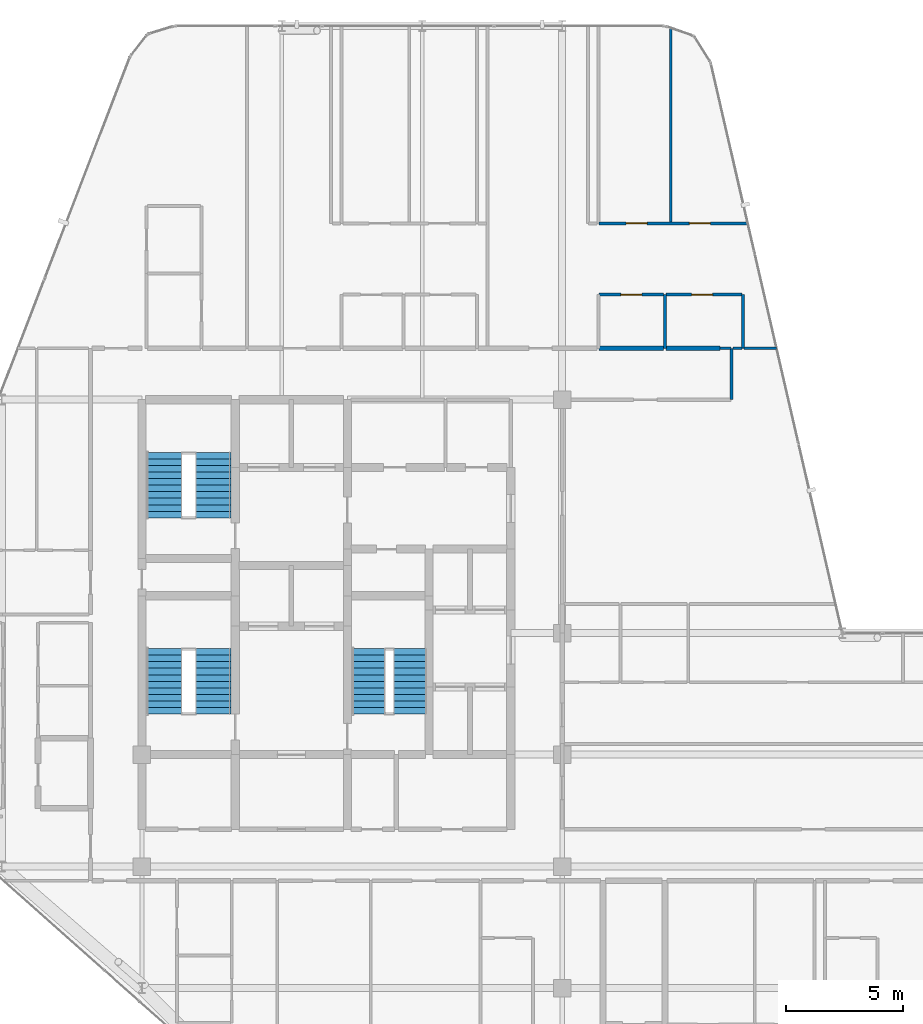
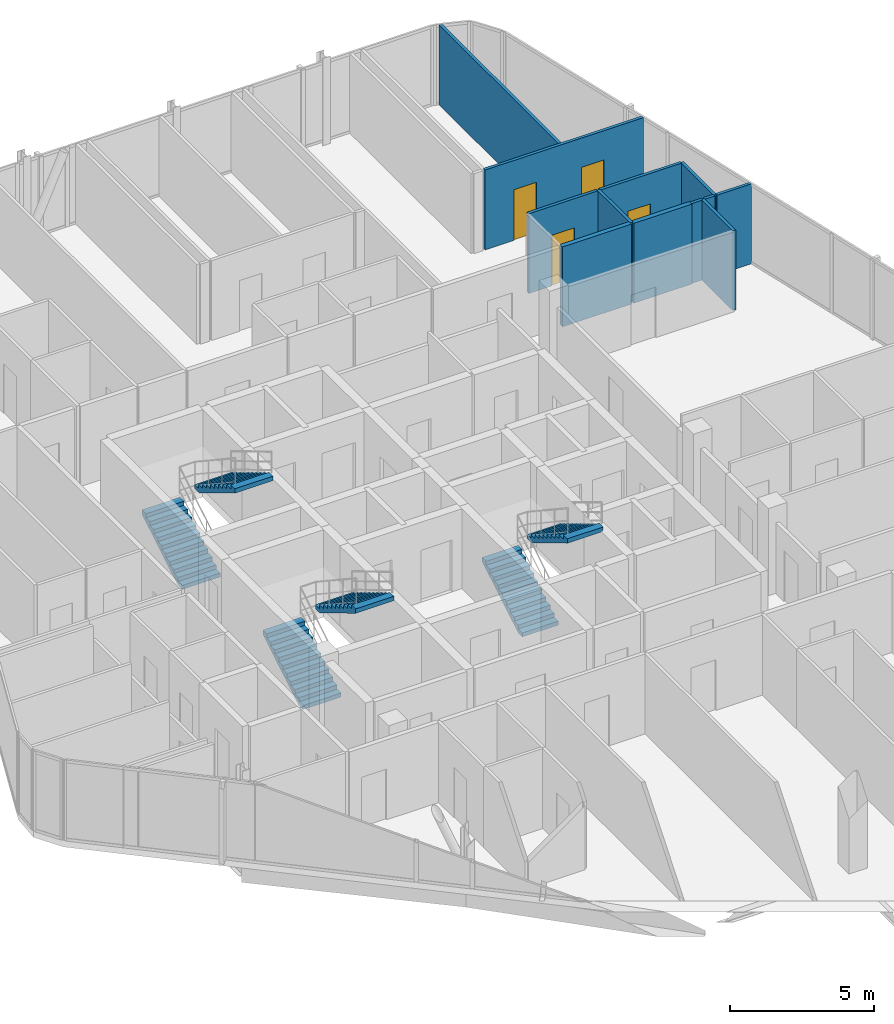
# One storey, part 28 of 29: 12 walls, 6 stair flights, 4 doors, 4 openings, 3 elements without a shape of their own.
"""IFC4 building model written with IfcOpenShell, lengths in metres."""

import ifcopenshell
import ifcopenshell.guid

model = None  # the IFC model being written
_history = None  # IfcOwnerHistory: only IFC2X3 demands one
_inside = {}  # id of a spatial element -> (the spatial element, [elements in it])
_under = {}  # id of a project, library or spatial element -> (it, [spatial elements below it])
_declared = {}  # id of a project -> (the project, [libraries it declares])
_typed = {}  # id of a type object -> (the type object, [elements of that type])
_made_of = {}  # id of a material, layer set ... -> (it, [elements and type objects made of it])


def new_model(schema):
    """Start an empty IFC model of exactly this schema.

    Asked for "IFC4X3", IfcOpenShell would pick the latest addendum, in which some entities
    have other attributes; the version numbers below select the first issue.
    IFC2X3 requires an IfcOwnerHistory on every rooted entity: one is made here for all.
    """
    global model, _history
    if schema == "IFC4X3":
        model = ifcopenshell.file(schema_version=(4, 3, 0, 0))
    else:
        model = ifcopenshell.file(schema=schema)
    _inside.clear()
    _under.clear()
    _declared.clear()
    _typed.clear()
    _made_of.clear()
    _history = None
    if model.schema == "IFC2X3":
        org = make("IfcOrganization", Name="unknown")
        user = make(
            "IfcPersonAndOrganization",
            ThePerson=make("IfcPerson", FamilyName="unknown"),
            TheOrganization=org,
        )
        app = make(
            "IfcApplication",
            ApplicationDeveloper=org,
            Version="unknown",
            ApplicationFullName="unknown",
            ApplicationIdentifier="unknown",
        )
        _history = make(
            "IfcOwnerHistory",
            OwningUser=user,
            OwningApplication=app,
            ChangeAction="ADDED",
            CreationDate=0,
        )
    return model


def make(cls, **values):
    """One entity of the class cls with the attributes given. An attribute that is None is left unset."""
    return model.create_entity(
        cls, **{name: value for name, value in values.items() if value is not None}
    )


def rooted(cls, **values):
    """An entity with a GlobalId (a new one), such as an element, a storey or a relation."""
    return make(cls, GlobalId=ifcopenshell.guid.new(), OwnerHistory=_history, **values)


def si_unit(unit_type, name, prefix=None):
    """IfcSIUnit, for example si_unit("LENGTHUNIT", "METRE", prefix="MILLI")."""
    return make("IfcSIUnit", UnitType=unit_type, Prefix=prefix, Name=name)


def assignment(units):
    """IfcUnitAssignment: the units of a project."""
    return None if units is None else make("IfcUnitAssignment", Units=units)


def point(xyz):
    """IfcCartesianPoint."""
    return None if xyz is None else make("IfcCartesianPoint", Coordinates=xyz)


def direction(xyz):
    """IfcDirection."""
    return None if xyz is None else make("IfcDirection", DirectionRatios=xyz)


def frame(location, z_axis=None, x_axis=None):
    """IfcAxis2Placement3D, a coordinate frame: its origin and axes. An axis left out is left unset."""
    return make(
        "IfcAxis2Placement3D",
        Location=point(location),
        Axis=direction(z_axis),
        RefDirection=direction(x_axis),
    )


def frame_2d(location, x_axis=None):
    """IfcAxis2Placement2D, a coordinate frame in the plane: its origin and x axis."""
    return make(
        "IfcAxis2Placement2D", Location=point(location), RefDirection=direction(x_axis)
    )


def origin():
    """The frame at (0, 0, 0) with its axes left unset."""
    return frame((0.0, 0.0, 0.0))


def place(relative_to, where):
    """IfcLocalPlacement: puts the frame where relative to a parent placement (None: the world)."""
    return make(
        "IfcLocalPlacement", PlacementRelTo=relative_to, RelativePlacement=where
    )


def context(
    kind, dimensions, precision=None, world=None, true_north=None, identifier=None
):
    """IfcGeometricRepresentationContext, for example the 3D "Model" context."""
    return make(
        "IfcGeometricRepresentationContext",
        ContextIdentifier=identifier,
        ContextType=kind,
        CoordinateSpaceDimension=dimensions,
        Precision=precision,
        WorldCoordinateSystem=world,
        TrueNorth=true_north,
    )


def subcontext(parent, identifier, kind, view, scale=None):
    """IfcGeometricRepresentationSubContext, for example "Body" below "Model"."""
    return make(
        "IfcGeometricRepresentationSubContext",
        ContextIdentifier=identifier,
        ContextType=kind,
        ParentContext=parent,
        TargetScale=scale,
        TargetView=view,
    )


def project(units=None, contexts=None):
    """IfcProject with its units and contexts."""
    return rooted(
        "IfcProject",
        Name="project",
        RepresentationContexts=contexts,
        UnitsInContext=assignment(units),
    )


def spatial(cls, under=None, at=None, **own):
    """A site, building, storey or space (cls), placed at a placement, below another one or the project."""
    s = rooted(cls, ObjectPlacement=at, **own)
    if under is not None:
        _under.setdefault(under.id(), (under, []))[1].append(s)
    return s


def polyline(points):
    """IfcPolyline through the points."""
    return make("IfcPolyline", Points=[point(p) for p in points])


def profile(cls, at=None, kind="AREA", **sizes):
    """A parametric profile (cls). Its sizes go by their IFC names, for example OverallWidth=200.0."""
    return make(cls, ProfileType=kind, Position=at, **sizes)


def rectangle(**sizes):
    """IfcRectangleProfileDef."""
    return profile("IfcRectangleProfileDef", **sizes)


def outline(outer, holes=None, kind="AREA"):
    """IfcArbitraryClosedProfileDef: a profile drawn as a closed curve; with holes, ...WithVoids."""
    if holes is None:
        return make("IfcArbitraryClosedProfileDef", ProfileType=kind, OuterCurve=outer)
    return make(
        "IfcArbitraryProfileDefWithVoids",
        ProfileType=kind,
        OuterCurve=outer,
        InnerCurves=holes,
    )


def extrude(swept, where, along, depth):
    """IfcExtrudedAreaSolid: the profile swept, set in the frame where, extruded along a direction by depth."""
    return make(
        "IfcExtrudedAreaSolid",
        SweptArea=swept,
        Position=where,
        ExtrudedDirection=direction(along),
        Depth=depth,
    )


def shape(context_of_items, identifier, shape_type, items):
    """IfcShapeRepresentation: the items that make up one representation, for example the "Body"."""
    return make(
        "IfcShapeRepresentation",
        ContextOfItems=context_of_items,
        RepresentationIdentifier=identifier,
        RepresentationType=shape_type,
        Items=items,
    )


def material(Name=None, Category=None):
    """IfcMaterial."""
    return make("IfcMaterial", Name=Name, Category=Category)


def layer(
    of_material, thickness, ventilated=None, Name=None, Category=None, Priority=None
):
    """IfcMaterialLayer: one layer of a wall or slab, of a material (None: an air gap)."""
    return make(
        "IfcMaterialLayer",
        Material=of_material,
        LayerThickness=thickness,
        IsVentilated=ventilated,
        Name=Name,
        Category=Category,
        Priority=Priority,
    )


def layer_set(layers, Name=None):
    """IfcMaterialLayerSet."""
    return make("IfcMaterialLayerSet", MaterialLayers=layers, LayerSetName=Name)


def made_of(thing, what):
    """Note that an element or type object is made of a material, layer set ...; save() writes the relation."""
    if what is not None:
        _made_of.setdefault(what.id(), (what, []))[1].append(thing)
    return thing


def type_object(cls, material=None, **own):
    """A type object (cls), such as IfcWallType, which elements share."""
    return made_of(rooted(cls, **own), material)


def element(
    cls,
    number,
    at=None,
    inside=None,
    cuts=None,
    type_object=None,
    material=None,
    context=None,
    identifier="Body",
    shape_type=None,
    held_by="IfcProductDefinitionShape",
    body=None,
    shapes=None,
    **own,
):
    """One element of the class cls, such as IfcWall. Its Tag is "e" and its number.

    at: its placement. inside: the storey or other place that contains it. cuts: it is an
    opening in that element (IfcRelVoidsElement). A single representation is given by context,
    identifier, shape_type and body (its items); several are given by shapes. held_by: the class
    of the entity that holds the representations. save() writes the other relations.
    """
    e = rooted(cls, Tag="e%d" % number, ObjectPlacement=at, **own)
    if body is not None:
        shapes = [shape(context, identifier, shape_type, body)]
    if shapes is not None:
        e.Representation = make(held_by, Representations=shapes)
    if inside is not None:
        _inside.setdefault(inside.id(), (inside, []))[1].append(e)
    if cuts is not None:
        rooted(
            "IfcRelVoidsElement", RelatingBuildingElement=cuts, RelatedOpeningElement=e
        )
    if type_object is not None:
        _typed.setdefault(type_object.id(), (type_object, []))[1].append(e)
    return made_of(e, material)


def fill(opening, filler):
    """IfcRelFillsElement: the door or window that sits in an opening."""
    return rooted(
        "IfcRelFillsElement",
        RelatingOpeningElement=opening,
        RelatedBuildingElement=filler,
    )


def aggregate(whole, parts):
    """IfcRelAggregates: a whole, such as a stair, and the parts it consists of."""
    return rooted("IfcRelAggregates", RelatingObject=whole, RelatedObjects=parts)


def save(model, path):
    """Write the relations noted so far, then the file.

    IfcRelAggregates (storeys below a building ...), IfcRelContainedInSpatialStructure (elements
    in a storey), IfcRelDefinesByType, IfcRelAssociatesMaterial and IfcRelDeclares: one each for
    every whole, place, type object, material and project.
    """
    for whole, parts in _under.values():
        aggregate(whole, parts)
    for where, things in _inside.values():
        rooted(
            "IfcRelContainedInSpatialStructure",
            RelatedElements=things,
            RelatingStructure=where,
        )
    for kind, things in _typed.values():
        rooted("IfcRelDefinesByType", RelatedObjects=things, RelatingType=kind)
    for what, things in _made_of.values():
        rooted("IfcRelAssociatesMaterial", RelatedObjects=things, RelatingMaterial=what)
    for by, libraries in _declared.values():
        rooted("IfcRelDeclares", RelatingContext=by, RelatedDefinitions=libraries)
    model.write(path)


model = new_model("IFC4")

# Units and contexts
model_context = context("Model", 3, precision=1e-05, world=origin(), true_north=direction((0.0, 1.0)))
body_context = subcontext(model_context, "Body", "Model", "MODEL_VIEW")
ifc_project = project(units=[si_unit("LENGTHUNIT", "METRE"), si_unit("AREAUNIT", "SQUARE_METRE"), si_unit("VOLUMEUNIT", "CUBIC_METRE"), si_unit("PLANEANGLEUNIT", "RADIAN"), si_unit("MASSUNIT", "GRAM", prefix="KILO")], contexts=[model_context])

# Site, building, storey
site_placement = place(None, origin())
site = spatial("IfcSite", under=ifc_project, at=site_placement, CompositionType="ELEMENT")
building_placement = place(site_placement, origin())
building = spatial("IfcBuilding", under=site, at=building_placement, Name="Keshet Zoharim Tower", CompositionType="ELEMENT")
storey_placement = place(building_placement, frame((0.0, 0.0, 210.60009765625)))
storey = spatial("IfcBuildingStorey", under=building, at=storey_placement, Name="L52", CompositionType="ELEMENT", Elevation=210.60009765625)

# Walls
ifc_material_1 = material(Name="Gypsum Plasterboard", Category="gypsum")
ifc_layer_1 = layer(ifc_material_1, 0.179931640625)
ifc_layer_set_1 = layer_set([ifc_layer_1], Name="Gypsum Plasterboard")
wall_type_1 = type_object("IfcWallType", Name="WL-CORR-180", PredefinedType="STANDARD", material=ifc_layer_set_1)
wall_1_placement = place(storey_placement, frame((34.574951171875, 40.10009765625, 0.0), z_axis=(0.0, 0.0, 1.0), x_axis=(1.0, 0.0, 0.0)))
element("IfcWall", 1, at=wall_1_placement, inside=storey, type_object=wall_type_1, Name="L52 Interior Wall 187", PredefinedType="STANDARD", context=body_context, shape_type="SweptSolid", body=[
    extrude(rectangle(XDim=2.77197265625, YDim=0.179931640625, at=frame_2d((1.385986328125, 0.0))), origin(), (0.0, 0.0, 1.0), 3.389892578125),
])
wall_2_placement = place(storey_placement, frame((37.43701171875, 40.10009765625, 0.0), z_axis=(0.0, 0.0, 1.0), x_axis=(1.0, 0.0, 0.0)))
element("IfcWall", 2, at=wall_2_placement, inside=storey, type_object=wall_type_1, Name="L52 Interior Wall 188", PredefinedType="STANDARD", context=body_context, shape_type="SweptSolid", body=[
    extrude(rectangle(XDim=2.325927734375, YDim=0.179931640625, at=frame_2d((1.1630859375, 0.0))), origin(), (0.0, 0.0, 1.0), 3.389892578125),
])
ifc_layer_2 = layer(ifc_material_1, 0.1201171875)
ifc_layer_set_2 = layer_set([ifc_layer_2], Name="Gypsum Plasterboard")
wall_type_2 = type_object("IfcWallType", Name="WL-PART-120", PredefinedType="PARTITIONING", material=ifc_layer_set_2)
wall_3_placement = place(storey_placement, frame((37.64990234375, 45.449951171875, 0.0), z_axis=(0.0, 0.0, 1.0), x_axis=(0.0, 1.0, 0.0)))
element("IfcWall", 3, at=wall_3_placement, inside=storey, type_object=wall_type_2, Name="L52 Interior Wall 080", PredefinedType="PARTITIONING", context=body_context, shape_type="SweptSolid", body=[
    extrude(rectangle(XDim=8.35595703125, YDim=0.1201171875, at=frame_2d((4.177978515625, 0.0))), origin(), (0.0, 0.0, 1.0), 3.389892578125),
])
wall_4_placement = place(storey_placement, frame((40.25, 37.89990234375, 0.0), z_axis=(0.0, 0.0, 1.0), x_axis=(0.0, 1.0, 0.0)))
element("IfcWall", 4, at=wall_4_placement, inside=storey, type_object=wall_type_2, Name="L52 Interior Wall 083", PredefinedType="PARTITIONING", context=body_context, shape_type="SweptSolid", body=[
    extrude(rectangle(XDim=2.2001953125, YDim=0.1201171875, at=frame_2d((1.10009765625, 0.0))), origin(), (0.0, 0.0, 1.0), 3.389892578125),
])
wall_5_placement = place(storey_placement, frame((40.797119140625, 40.10009765625, 0.0), z_axis=(0.0, 0.0, 1.0), x_axis=(1.0, 0.0, 0.0)))
element("IfcWall", 5, at=wall_5_placement, inside=storey, type_object=wall_type_2, Name="L52 Interior Wall 191", PredefinedType="PARTITIONING", context=body_context, shape_type="SweptSolid", body=[
    extrude(rectangle(XDim=1.3779296875, YDim=0.1201171875, at=frame_2d((0.68896484375, 0.0))), origin(), (0.0, 0.0, 1.0), 3.389892578125),
])

# Wall, opening, door
wall_6_placement = place(storey_placement, frame((34.574951171875, 42.39990234375, 0.0), z_axis=(0.0, 0.0, 1.0), x_axis=(1.0, 0.0, 0.0)))
wall_6 = element("IfcWall", 6, at=wall_6_placement, inside=storey, type_object=wall_type_2, Name="L52 Interior Wall 194", PredefinedType="PARTITIONING", context=body_context, shape_type="SweptSolid", body=[
    extrude(rectangle(XDim=2.77197265625, YDim=0.1201171875, at=frame_2d((1.385986328125, 0.0))), origin(), (0.0, 0.0, 1.0), 3.389892578125),
])
opening_1_placement = place(wall_6_placement, frame((0.93603515625, 0.0, 0.0)))
opening_1 = element("IfcOpeningElement", 7, at=opening_1_placement, cuts=wall_6, Name="Opening D-IN90", PredefinedType="OPENING", context=body_context, shape_type="SweptSolid", body=[
    extrude(rectangle(XDim=0.89990234375, YDim=2.14990234375, at=frame_2d((0.449951171875, 1.074951171875))), frame((0.0, 0.070068359375, 0.0), z_axis=(0.0, -1.0, 0.0), x_axis=(1.0, 0.0, 0.0)), (0.0, 0.0, 1.0), 0.14013671875),
])
ifc_material_2 = material(Name="Hardwood Timber", Category="wood")
door_type_1 = type_object("IfcDoorType", Name="DR-INT-090", OperationType="NOTDEFINED", PredefinedType="DOOR", material=ifc_material_2)
door_1_placement = place(opening_1_placement, origin())
door_1 = element("IfcDoor", 8, at=door_1_placement, inside=storey, type_object=door_type_1, Name="Apartment 5206 Kitchen Door", OperationType="SINGLE_SWING_RIGHT", OverallHeight=2.14990234375, OverallWidth=0.89990234375, PredefinedType="DOOR", context=body_context, shape_type="SweptSolid", body=[
    extrude(rectangle(XDim=0.89990234375, YDim=2.14990234375, at=frame_2d((0.449951171875, 1.074951171875))), frame((0.0, 0.02490234375, 0.0), z_axis=(0.0, -1.0, 0.0), x_axis=(1.0, 0.0, 0.0)), (0.0, 0.0, 1.0), 0.050048828125),
])
fill(opening_1, door_1)

# Wall, openings, doors
wall_7_placement = place(storey_placement, frame((34.574951171875, 45.449951171875, 0.0), z_axis=(0.0, 0.0, 1.0), x_axis=(1.0, 0.0, 0.0)))
wall_7 = element("IfcWall", 9, at=wall_7_placement, inside=storey, type_object=wall_type_2, Name="L52 Interior Wall 201", PredefinedType="PARTITIONING", context=body_context, shape_type="SweptSolid", body=[
    extrude(rectangle(XDim=6.364990234375, YDim=0.1201171875, at=frame_2d((3.1826171875, 0.0))), origin(), (0.0, 0.0, 1.0), 3.389892578125),
])
opening_2_placement = place(wall_7_placement, frame((1.160888671875, 0.0, 0.0)))
opening_2 = element("IfcOpeningElement", 10, at=opening_2_placement, cuts=wall_7, Name="Opening D-IN90", PredefinedType="OPENING", context=body_context, shape_type="SweptSolid", body=[
    extrude(rectangle(XDim=0.89990234375, YDim=2.14990234375, at=frame_2d((0.449951171875, 1.074951171875))), frame((0.0, 0.070068359375, 0.0), z_axis=(0.0, -1.0, 0.0), x_axis=(1.0, 0.0, 0.0)), (0.0, 0.0, 1.0), 0.14013671875),
])
opening_3_placement = place(wall_7_placement, frame((3.8701171875, 0.0, 0.0)))
opening_3 = element("IfcOpeningElement", 11, at=opening_3_placement, cuts=wall_7, Name="Opening D-IN90", PredefinedType="OPENING", context=body_context, shape_type="SweptSolid", body=[
    extrude(rectangle(XDim=0.89990234375, YDim=2.14990234375, at=frame_2d((0.449951171875, 1.074951171875))), frame((0.0, 0.070068359375, 0.0), z_axis=(0.0, -1.0, 0.0), x_axis=(1.0, 0.0, 0.0)), (0.0, 0.0, 1.0), 0.14013671875),
])
door_2_placement = place(opening_2_placement, origin())
door_2 = element("IfcDoor", 12, at=door_2_placement, inside=storey, type_object=door_type_1, Name="Apartment 5206 Bedroom 1 Door", OperationType="SINGLE_SWING_RIGHT", OverallHeight=2.14990234375, OverallWidth=0.89990234375, PredefinedType="DOOR", context=body_context, shape_type="SweptSolid", body=[
    extrude(rectangle(XDim=0.89990234375, YDim=2.14990234375, at=frame_2d((0.449951171875, 1.074951171875))), frame((0.0, 0.02490234375, 0.0), z_axis=(0.0, -1.0, 0.0), x_axis=(1.0, 0.0, 0.0)), (0.0, 0.0, 1.0), 0.050048828125),
])
fill(opening_2, door_2)
door_3_placement = place(opening_3_placement, origin())
door_3 = element("IfcDoor", 13, at=door_3_placement, inside=storey, type_object=door_type_1, Name="Apartment 5206 Bedroom 2 Door", OperationType="SINGLE_SWING_LEFT", OverallHeight=2.14990234375, OverallWidth=0.89990234375, PredefinedType="DOOR", context=body_context, shape_type="SweptSolid", body=[
    extrude(rectangle(XDim=0.89990234375, YDim=2.14990234375, at=frame_2d((0.449951171875, 1.074951171875))), frame((0.0, 0.02490234375, 0.0), z_axis=(0.0, -1.0, 0.0), x_axis=(1.0, 0.0, 0.0)), (0.0, 0.0, 1.0), 0.050048828125),
])
fill(opening_3, door_3)

# Walls
ifc_layer_3 = layer(ifc_material_1, 0.1201171875)
ifc_layer_set_3 = layer_set([ifc_layer_3], Name="Gypsum Plasterboard")
wall_type_3 = type_object("IfcWallType", Name="WL-WET-120", PredefinedType="PARTITIONING", material=ifc_layer_set_3)
for number, where, z_axis, x_axis, name in (
    (14, (37.39990234375, 40.10009765625, 0.0), (0.0, 0.0, 1.0), (0.0, 1.0, 0.0), "L52 Interior Wall 079"),
    (15, (40.75, 40.10009765625, 0.0), (0.0, 0.0, 1.0), (0.0, 1.0, 0.0), "L52 Interior Wall 084"),
):
    element("IfcWall", number, at=place(storey_placement, frame(where, z_axis=z_axis, x_axis=x_axis)), inside=storey, type_object=wall_type_3, Name=name, PredefinedType="PARTITIONING", context=body_context, shape_type="SweptSolid", body=[
        extrude(rectangle(XDim=2.2998046875, YDim=0.1201171875, at=frame_2d((1.14990234375, 0.0))), origin(), (0.0, 0.0, 1.0), 3.389892578125),
    ])
wall_8_placement = place(storey_placement, frame((39.762939453125, 40.10009765625, 0.0), z_axis=(0.0, 0.0, 1.0), x_axis=(1.0, 0.0, 0.0)))
element("IfcWall", 16, at=wall_8_placement, inside=storey, type_object=wall_type_3, Name="L52 Interior Wall 189", PredefinedType="PARTITIONING", context=body_context, shape_type="SweptSolid", body=[
    extrude(rectangle(XDim=0.462158203125, YDim=0.1201171875, at=frame_2d((0.23095703125, 0.0))), origin(), (0.0, 0.0, 1.0), 3.389892578125),
])
wall_9_placement = place(storey_placement, frame((40.31494140625, 40.10009765625, 0.0), z_axis=(0.0, 0.0, 1.0), x_axis=(1.0, 0.0, 0.0)))
element("IfcWall", 17, at=wall_9_placement, inside=storey, type_object=wall_type_3, Name="L52 Interior Wall 190", PredefinedType="PARTITIONING", context=body_context, shape_type="SweptSolid", body=[
    extrude(rectangle(XDim=0.39208984375, YDim=0.1201171875, at=frame_2d((0.196044921875, 0.0))), origin(), (0.0, 0.0, 1.0), 3.389892578125),
])

# Wall, opening, door
wall_10_placement = place(storey_placement, frame((37.43701171875, 42.39990234375, 0.0), z_axis=(0.0, 0.0, 1.0), x_axis=(1.0, 0.0, 0.0)))
wall_10 = element("IfcWall", 18, at=wall_10_placement, inside=storey, type_object=wall_type_3, Name="L52 Interior Wall 195", PredefinedType="PARTITIONING", context=body_context, shape_type="SweptSolid", body=[
    extrude(rectangle(XDim=3.27001953125, YDim=0.1201171875, at=frame_2d((1.635009765625, 0.0))), origin(), (0.0, 0.0, 1.0), 3.389892578125),
])
opening_4_placement = place(wall_10_placement, frame((1.110107421875, 0.0, 0.0)))
opening_4 = element("IfcOpeningElement", 19, at=opening_4_placement, cuts=wall_10, Name="Opening D-WT90", PredefinedType="OPENING", context=body_context, shape_type="SweptSolid", body=[
    extrude(rectangle(XDim=0.89990234375, YDim=2.10009765625, at=frame_2d((0.449951171875, 1.050048828125))), frame((0.0, 0.070068359375, 0.0), z_axis=(0.0, -1.0, 0.0), x_axis=(1.0, 0.0, 0.0)), (0.0, 0.0, 1.0), 0.14013671875),
])
door_type_2 = type_object("IfcDoorType", Name="DR-WET-090", OperationType="NOTDEFINED", PredefinedType="DOOR", material=ifc_material_2)
door_4_placement = place(opening_4_placement, origin())
door_4 = element("IfcDoor", 20, at=door_4_placement, inside=storey, type_object=door_type_2, Name="Apartment 5206 Bathroom Door", OperationType="SINGLE_SWING_LEFT", OverallHeight=2.10009765625, OverallWidth=0.89990234375, PredefinedType="DOOR", context=body_context, shape_type="SweptSolid", body=[
    extrude(rectangle(XDim=0.89990234375, YDim=2.10009765625, at=frame_2d((0.449951171875, 1.050048828125))), frame((0.0, 0.02490234375, 0.0), z_axis=(0.0, -1.0, 0.0), x_axis=(1.0, 0.0, 0.0)), (0.0, 0.0, 1.0), 0.050048828125),
])
fill(opening_4, door_4)

# Stair, stair flights
ifc_material_3 = material(Name="Concrete C50/60", Category="concrete")
stair_type = type_object("IfcStairType", Name="STR-EXIT-135", PredefinedType="HALF_TURN_STAIR", material=ifc_material_3)
stair_1_placement = place(storey_placement, origin())
stair_1 = element("IfcStair", 21, at=stair_1_placement, inside=storey, type_object=stair_type, Name="L52 Enclosed Exit Stair ST-01", PredefinedType="HALF_TURN_STAIR")
stair_flight_type_1 = type_object("IfcStairFlightType", Name="FLT-PRE-135", PredefinedType="STRAIGHT", material=ifc_material_3)
stair_flight_1_placement = place(storey_placement, frame((15.945068359375, 24.43994140625, 0.0), z_axis=(0.0, 0.0, 1.0), x_axis=(0.0, 1.0, 0.0)))
stair_flight_1 = element("IfcStairFlight", 22, at=stair_flight_1_placement, type_object=stair_flight_type_1, Name="ST-01 flight 1", NumberOfRisers=11, NumberOfTreads=10, PredefinedType="STRAIGHT", RiserHeight=0.168182, TreadLength=0.28, context=body_context, shape_type="SweptSolid", body=[
    extrude(outline(polyline([(0.0, 0.0), (0.0, 0.168212890625), (0.280029296875, 0.168212890625), (0.280029296875, 0.33642578125), (0.56005859375, 0.33642578125), (0.56005859375, 0.504638671875), (0.840087890625, 0.504638671875), (0.840087890625, 0.672607421875), (1.1201171875, 0.672607421875), (1.1201171875, 0.8408203125), (1.39990234375, 0.8408203125), (1.39990234375, 1.009033203125), (1.679931640625, 1.009033203125), (1.679931640625, 1.17724609375), (1.9599609375, 1.17724609375), (1.9599609375, 1.345458984375), (2.239990234375, 1.345458984375), (2.239990234375, 1.513671875), (2.52001953125, 1.513671875), (2.52001953125, 1.681884765625), (2.800048828125, 1.681884765625), (2.800048828125, 1.85009765625), (2.800048828125, 1.495361328125), (0.310546875, 0.0), (0.0, 0.0)])), frame((0.0, 0.76513671875, 0.0), z_axis=(0.0, -1.0, 0.0), x_axis=(1.0, 0.0, 0.0)), (0.0, 0.0, 1.0), 1.530029296875),
])
stair_flight_2_placement = place(storey_placement, frame((18.054931640625, 27.239990234375, 1.849853515625), z_axis=(0.0, 0.0, 1.0), x_axis=(0.0, -1.0, 0.0)))
stair_flight_2 = element("IfcStairFlight", 23, at=stair_flight_2_placement, type_object=stair_flight_type_1, Name="ST-01 flight 2", NumberOfRisers=11, NumberOfTreads=10, PredefinedType="STRAIGHT", RiserHeight=0.168182, TreadLength=0.28, context=body_context, shape_type="SweptSolid", body=[
    extrude(outline(polyline([(0.0, 0.0), (0.0, 0.168212890625), (0.280029296875, 0.168212890625), (0.280029296875, 0.33642578125), (0.56005859375, 0.33642578125), (0.56005859375, 0.504638671875), (0.840087890625, 0.504638671875), (0.840087890625, 0.672607421875), (1.1201171875, 0.672607421875), (1.1201171875, 0.8408203125), (1.39990234375, 0.8408203125), (1.39990234375, 1.009033203125), (1.679931640625, 1.009033203125), (1.679931640625, 1.17724609375), (1.9599609375, 1.17724609375), (1.9599609375, 1.345458984375), (2.239990234375, 1.345458984375), (2.239990234375, 1.513671875), (2.52001953125, 1.513671875), (2.52001953125, 1.681884765625), (2.800048828125, 1.681884765625), (2.800048828125, 1.85009765625), (2.800048828125, 1.495361328125), (0.310546875, 0.0), (0.0, 0.0)])), frame((0.0, 0.76513671875, 0.0), z_axis=(0.0, -1.0, 0.0), x_axis=(1.0, 0.0, 0.0)), (0.0, 0.0, 1.0), 1.530029296875),
])
aggregate(stair_1, [stair_flight_1, stair_flight_2])

stair_2_placement = place(storey_placement, origin())
stair_2 = element("IfcStair", 24, at=stair_2_placement, inside=storey, type_object=stair_type, Name="L52 Enclosed Exit Stair ST-02", PredefinedType="HALF_TURN_STAIR")
stair_flight_3_placement = place(storey_placement, frame((15.945068359375, 32.840087890625, 0.0), z_axis=(0.0, 0.0, 1.0), x_axis=(0.0, 1.0, 0.0)))
stair_flight_3 = element("IfcStairFlight", 25, at=stair_flight_3_placement, type_object=stair_flight_type_1, Name="ST-02 flight 1", NumberOfRisers=11, NumberOfTreads=10, PredefinedType="STRAIGHT", RiserHeight=0.168182, TreadLength=0.28, context=body_context, shape_type="SweptSolid", body=[
    extrude(outline(polyline([(0.0, 0.0), (0.0, 0.168212890625), (0.280029296875, 0.168212890625), (0.280029296875, 0.33642578125), (0.56005859375, 0.33642578125), (0.56005859375, 0.504638671875), (0.840087890625, 0.504638671875), (0.840087890625, 0.672607421875), (1.1201171875, 0.672607421875), (1.1201171875, 0.8408203125), (1.39990234375, 0.8408203125), (1.39990234375, 1.009033203125), (1.679931640625, 1.009033203125), (1.679931640625, 1.17724609375), (1.9599609375, 1.17724609375), (1.9599609375, 1.345458984375), (2.239990234375, 1.345458984375), (2.239990234375, 1.513671875), (2.52001953125, 1.513671875), (2.52001953125, 1.681884765625), (2.800048828125, 1.681884765625), (2.800048828125, 1.85009765625), (2.800048828125, 1.495361328125), (0.310546875, 0.0), (0.0, 0.0)])), frame((0.0, 0.76513671875, 0.0), z_axis=(0.0, -1.0, 0.0), x_axis=(1.0, 0.0, 0.0)), (0.0, 0.0, 1.0), 1.530029296875),
])
stair_flight_4_placement = place(storey_placement, frame((18.054931640625, 35.639892578125, 1.849853515625), z_axis=(0.0, 0.0, 1.0), x_axis=(0.0, -1.0, 0.0)))
stair_flight_4 = element("IfcStairFlight", 26, at=stair_flight_4_placement, type_object=stair_flight_type_1, Name="ST-02 flight 2", NumberOfRisers=11, NumberOfTreads=10, PredefinedType="STRAIGHT", RiserHeight=0.168182, TreadLength=0.28, context=body_context, shape_type="SweptSolid", body=[
    extrude(outline(polyline([(0.0, 0.0), (0.0, 0.168212890625), (0.280029296875, 0.168212890625), (0.280029296875, 0.33642578125), (0.56005859375, 0.33642578125), (0.56005859375, 0.504638671875), (0.840087890625, 0.504638671875), (0.840087890625, 0.672607421875), (1.1201171875, 0.672607421875), (1.1201171875, 0.8408203125), (1.39990234375, 0.8408203125), (1.39990234375, 1.009033203125), (1.679931640625, 1.009033203125), (1.679931640625, 1.17724609375), (1.9599609375, 1.17724609375), (1.9599609375, 1.345458984375), (2.239990234375, 1.345458984375), (2.239990234375, 1.513671875), (2.52001953125, 1.513671875), (2.52001953125, 1.681884765625), (2.800048828125, 1.681884765625), (2.800048828125, 1.85009765625), (2.800048828125, 1.495361328125), (0.310546875, 0.0), (0.0, 0.0)])), frame((0.0, 0.76513671875, 0.0), z_axis=(0.0, -1.0, 0.0), x_axis=(1.0, 0.0, 0.0)), (0.0, 0.0, 1.0), 1.530029296875),
])
aggregate(stair_2, [stair_flight_3, stair_flight_4])

stair_3_placement = place(storey_placement, origin())
stair_3 = element("IfcStair", 27, at=stair_3_placement, inside=storey, type_object=stair_type, Name="L52 Enclosed Exit Stair ST-03", PredefinedType="HALF_TURN_STAIR")
stair_flight_type_2 = type_object("IfcStairFlightType", Name="FLT-PRE-144", PredefinedType="STRAIGHT", material=ifc_material_3)
stair_flight_5_placement = place(storey_placement, frame((24.699951171875, 24.43994140625, 0.0), z_axis=(0.0, 0.0, 1.0), x_axis=(0.0, 1.0, 0.0)))
stair_flight_5 = element("IfcStairFlight", 28, at=stair_flight_5_placement, type_object=stair_flight_type_2, Name="ST-03 flight 1", NumberOfRisers=11, NumberOfTreads=10, PredefinedType="STRAIGHT", RiserHeight=0.168182, TreadLength=0.28, context=body_context, shape_type="SweptSolid", body=[
    extrude(outline(polyline([(0.0, 0.0), (0.0, 0.168212890625), (0.280029296875, 0.168212890625), (0.280029296875, 0.33642578125), (0.56005859375, 0.33642578125), (0.56005859375, 0.504638671875), (0.840087890625, 0.504638671875), (0.840087890625, 0.672607421875), (1.1201171875, 0.672607421875), (1.1201171875, 0.8408203125), (1.39990234375, 0.8408203125), (1.39990234375, 1.009033203125), (1.679931640625, 1.009033203125), (1.679931640625, 1.17724609375), (1.9599609375, 1.17724609375), (1.9599609375, 1.345458984375), (2.239990234375, 1.345458984375), (2.239990234375, 1.513671875), (2.52001953125, 1.513671875), (2.52001953125, 1.681884765625), (2.800048828125, 1.681884765625), (2.800048828125, 1.85009765625), (2.800048828125, 1.495361328125), (0.310546875, 0.0), (0.0, 0.0)])), frame((0.0, 0.719970703125, 0.0), z_axis=(0.0, -1.0, 0.0), x_axis=(1.0, 0.0, 0.0)), (0.0, 0.0, 1.0), 1.43994140625),
])
stair_flight_6_placement = place(storey_placement, frame((26.5, 27.239990234375, 1.849853515625), z_axis=(0.0, 0.0, 1.0), x_axis=(0.0, -1.0, 0.0)))
stair_flight_6 = element("IfcStairFlight", 29, at=stair_flight_6_placement, type_object=stair_flight_type_2, Name="ST-03 flight 2", NumberOfRisers=11, NumberOfTreads=10, PredefinedType="STRAIGHT", RiserHeight=0.168182, TreadLength=0.28, context=body_context, shape_type="SweptSolid", body=[
    extrude(outline(polyline([(0.0, 0.0), (0.0, 0.168212890625), (0.280029296875, 0.168212890625), (0.280029296875, 0.33642578125), (0.56005859375, 0.33642578125), (0.56005859375, 0.504638671875), (0.840087890625, 0.504638671875), (0.840087890625, 0.672607421875), (1.1201171875, 0.672607421875), (1.1201171875, 0.8408203125), (1.39990234375, 0.8408203125), (1.39990234375, 1.009033203125), (1.679931640625, 1.009033203125), (1.679931640625, 1.17724609375), (1.9599609375, 1.17724609375), (1.9599609375, 1.345458984375), (2.239990234375, 1.345458984375), (2.239990234375, 1.513671875), (2.52001953125, 1.513671875), (2.52001953125, 1.681884765625), (2.800048828125, 1.681884765625), (2.800048828125, 1.85009765625), (2.800048828125, 1.495361328125), (0.310546875, 0.0), (0.0, 0.0)])), frame((0.0, 0.719970703125, 0.0), z_axis=(0.0, -1.0, 0.0), x_axis=(1.0, 0.0, 0.0)), (0.0, 0.0, 1.0), 1.43994140625),
])
aggregate(stair_3, [stair_flight_5, stair_flight_6])

save(model, "model.ifc")
